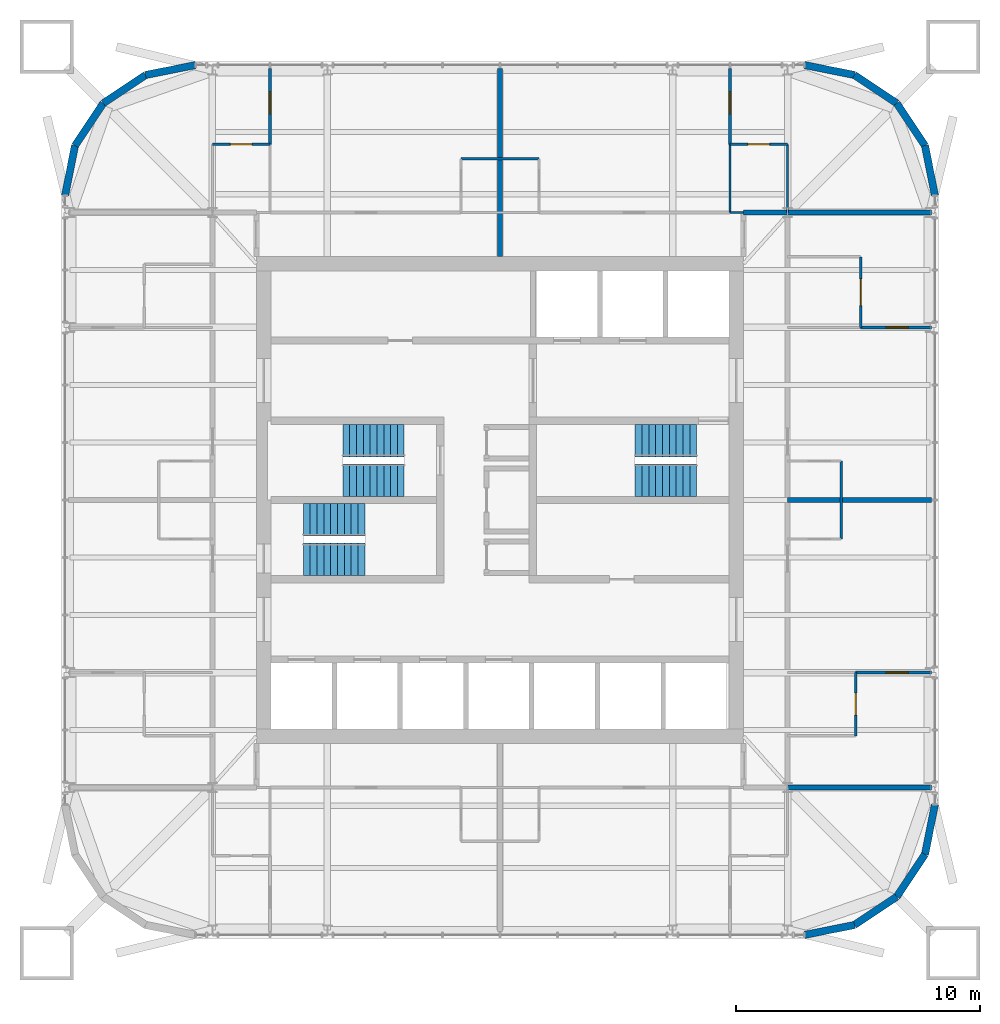
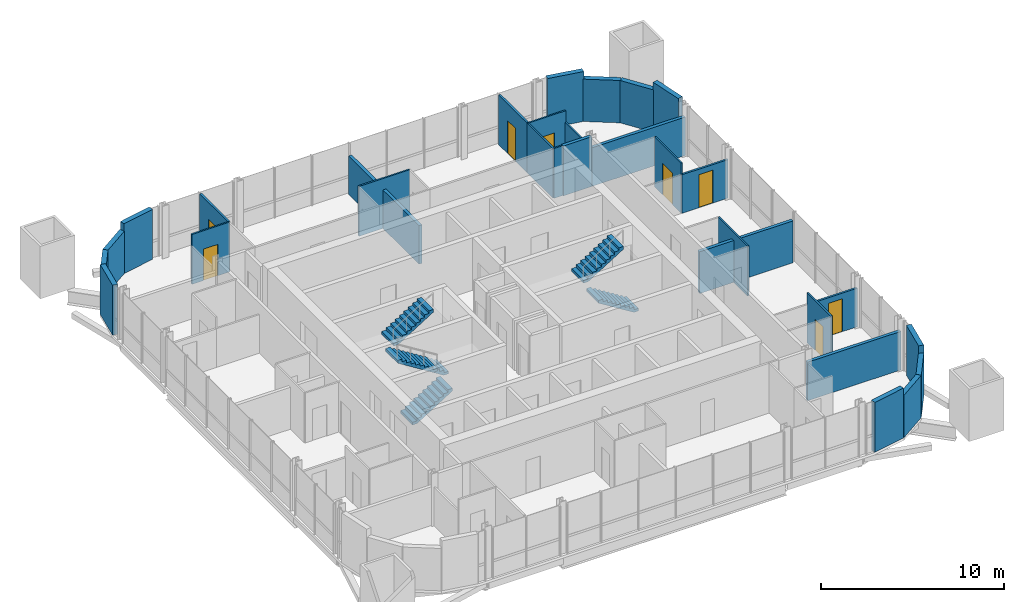
# One storey, part 15 of 16: 30 walls, 8 doors, 6 stair flights, 8 openings, 3 elements without a shape of their own.
"""IFC4 building model written with IfcOpenShell, lengths in metres."""

from ifc_helpers import new_model, si_unit, direction, frame, frame_2d, origin, place, context, subcontext, project, spatial, polyline, rectangle, outline, extrude, material, layer, layer_set, type_object, element, fill, aggregate, save


model = new_model("IFC4")

# Units and contexts
model_context = context("Model", 3, precision=1e-05, world=origin(), true_north=direction((0.0, 1.0)))
body_context = subcontext(model_context, "Body", "Model", "MODEL_VIEW")
ifc_project = project(units=[si_unit("LENGTHUNIT", "METRE"), si_unit("AREAUNIT", "SQUARE_METRE"), si_unit("VOLUMEUNIT", "CUBIC_METRE"), si_unit("PLANEANGLEUNIT", "RADIAN"), si_unit("MASSUNIT", "GRAM", prefix="KILO")], contexts=[model_context])

# Site, building, storey
site_placement = place(None, origin())
site = spatial("IfcSite", under=ifc_project, at=site_placement, CompositionType="ELEMENT")
building_placement = place(site_placement, origin())
building = spatial("IfcBuilding", under=site, at=building_placement, Name="Turquesa Mirador Hotel Tower", CompositionType="ELEMENT")
storey_placement = place(building_placement, frame((0.0, 0.0, 230.199951171875)))
storey = spatial("IfcBuildingStorey", under=building, at=storey_placement, Name="L62", CompositionType="ELEMENT", Elevation=230.199951171875)

# Walls
ifc_material_1 = material(Name="Gypsum board on steel studs", Category="steel")
ifc_layer_1 = layer(ifc_material_1, 0.10009765625)
ifc_layer_set_1 = layer_set([ifc_layer_1], Name="BATHROOM WALL 100")
wall_type_1 = type_object("IfcWallType", Name="BATHROOM WALL 100", PredefinedType="PARTITIONING", material=ifc_layer_set_1)
wall_1_placement = place(storey_placement, frame((64.43994140625, 56.800048828125, 0.0), z_axis=(0.0, 0.0, 1.0), x_axis=(1.0, 0.0, 0.0)))
element("IfcWall", 1, at=wall_1_placement, inside=storey, type_object=wall_type_1, Name="Partition L62 027", PredefinedType="PARTITIONING", context=body_context, shape_type="SweptSolid", body=[
    extrude(rectangle(XDim=0.56005859375, YDim=0.10009765625, at=frame_2d((0.280029296875, 0.0))), origin(), (0.0, 0.0, 1.0), 3.330078125),
])
wall_2_placement = place(storey_placement, frame((53.39990234375, 59.0, 0.0), z_axis=(0.0, 0.0, 1.0), x_axis=(1.0, 0.0, 0.0)))
element("IfcWall", 2, at=wall_2_placement, inside=storey, type_object=wall_type_1, Name="Partition L62 034", PredefinedType="PARTITIONING", context=body_context, shape_type="SweptSolid", body=[
    extrude(rectangle(XDim=3.2001953125, YDim=0.10009765625, at=frame_2d((1.60009765625, 0.0))), origin(), (0.0, 0.0, 1.0), 3.330078125),
])

# Wall, opening, door
wall_3_placement = place(storey_placement, frame((43.199951171875, 59.60009765625, 0.0), z_axis=(0.0, 0.0, 1.0), x_axis=(1.0, 0.0, 0.0)))
wall_3 = element("IfcWall", 3, at=wall_3_placement, inside=storey, type_object=wall_type_1, Name="Partition L62 035", PredefinedType="PARTITIONING", context=body_context, shape_type="SweptSolid", body=[
    extrude(rectangle(XDim=2.360107421875, YDim=0.10009765625, at=frame_2d((1.18017578125, 0.0))), origin(), (0.0, 0.0, 1.0), 3.330078125),
])
opening_1_placement = place(wall_3_placement, frame((0.72998046875, 0.0, 0.0)))
opening_1 = element("IfcOpeningElement", 4, at=opening_1_placement, cuts=wall_3, Name="Opening D02", PredefinedType="OPENING", context=body_context, shape_type="SweptSolid", body=[
    extrude(rectangle(XDim=0.89990234375, YDim=2.10009765625, at=frame_2d((0.449951171875, 1.050048828125))), frame((0.0, 0.06005859375, 0.0), z_axis=(0.0, -1.0, 0.0), x_axis=(1.0, 0.0, 0.0)), (0.0, 0.0, 1.0), 0.1201171875),
])
ifc_material_2 = material(Name="Timber veneered door", Category="wood")
door_type_1 = type_object("IfcDoorType", Name="DOOR 900X2100 EN-SUITE", OperationType="SINGLE_SWING_RIGHT", PredefinedType="DOOR", material=ifc_material_2)
door_1_placement = place(opening_1_placement, origin())
door_1 = element("IfcDoor", 5, at=door_1_placement, inside=storey, type_object=door_type_1, Name="Door 6201B", OperationType="SINGLE_SWING_RIGHT", OverallHeight=2.10009765625, OverallWidth=0.89990234375, PredefinedType="DOOR", context=body_context, shape_type="SweptSolid", body=[
    extrude(rectangle(XDim=0.89990234375, YDim=2.10009765625, at=frame_2d((0.449951171875, 1.050048828125))), frame((0.0, 0.02490234375, 0.0), z_axis=(0.0, -1.0, 0.0), x_axis=(1.0, 0.0, 0.0)), (0.0, 0.0, 1.0), 0.050048828125),
])
fill(opening_1, door_1)

wall_4_placement = place(storey_placement, frame((64.43994140625, 59.60009765625, 0.0), z_axis=(0.0, 0.0, 1.0), x_axis=(1.0, 0.0, 0.0)))
wall_4 = element("IfcWall", 6, at=wall_4_placement, inside=storey, type_object=wall_type_1, Name="Partition L62 036", PredefinedType="PARTITIONING", context=body_context, shape_type="SweptSolid", body=[
    extrude(rectangle(XDim=2.360107421875, YDim=0.10009765625, at=frame_2d((1.18017578125, 0.0))), origin(), (0.0, 0.0, 1.0), 3.330078125),
])
opening_2_placement = place(wall_4_placement, frame((0.72998046875, 0.0, 0.0)))
opening_2 = element("IfcOpeningElement", 7, at=opening_2_placement, cuts=wall_4, Name="Opening D02", PredefinedType="OPENING", context=body_context, shape_type="SweptSolid", body=[
    extrude(rectangle(XDim=0.89990234375, YDim=2.10009765625, at=frame_2d((0.449951171875, 1.050048828125))), frame((0.0, 0.06005859375, 0.0), z_axis=(0.0, -1.0, 0.0), x_axis=(1.0, 0.0, 0.0)), (0.0, 0.0, 1.0), 0.1201171875),
])
door_2_placement = place(opening_2_placement, origin())
door_2 = element("IfcDoor", 8, at=door_2_placement, inside=storey, type_object=door_type_1, Name="Door 6202B", OperationType="SINGLE_SWING_RIGHT", OverallHeight=2.10009765625, OverallWidth=0.89990234375, PredefinedType="DOOR", context=body_context, shape_type="SweptSolid", body=[
    extrude(rectangle(XDim=0.89990234375, YDim=2.10009765625, at=frame_2d((0.449951171875, 1.050048828125))), frame((0.0, 0.02490234375, 0.0), z_axis=(0.0, -1.0, 0.0), x_axis=(1.0, 0.0, 0.0)), (0.0, 0.0, 1.0), 0.050048828125),
])
fill(opening_2, door_2)

# Walls
wall_5_placement = place(storey_placement, frame((66.800048828125, 56.800048828125, 0.0), z_axis=(0.0, 0.0, 1.0), x_axis=(0.0, 1.0, 0.0)))
element("IfcWall", 9, at=wall_5_placement, inside=storey, type_object=wall_type_1, Name="Partition L62 064", PredefinedType="PARTITIONING", context=body_context, shape_type="SweptSolid", body=[
    extrude(rectangle(XDim=2.800048828125, YDim=0.10009765625, at=frame_2d((1.39990234375, 0.0))), origin(), (0.0, 0.0, 1.0), 2.5732421875),
])
wall_6_placement = place(storey_placement, frame((69.0, 43.39990234375, 0.0), z_axis=(0.0, 0.0, 1.0), x_axis=(0.0, 1.0, 0.0)))
element("IfcWall", 10, at=wall_6_placement, inside=storey, type_object=wall_type_1, Name="Partition L62 066", PredefinedType="PARTITIONING", context=body_context, shape_type="SweptSolid", body=[
    extrude(rectangle(XDim=3.2001953125, YDim=0.10009765625, at=frame_2d((1.60009765625, 0.0))), origin(), (0.0, 0.0, 1.0), 3.330078125),
])

# Wall, opening, door
wall_7_placement = place(storey_placement, frame((69.60009765625, 35.320068359375, 0.0), z_axis=(0.0, 0.0, 1.0), x_axis=(0.0, 1.0, 0.0)))
wall_7 = element("IfcWall", 11, at=wall_7_placement, inside=storey, type_object=wall_type_1, Name="Partition L62 067", PredefinedType="PARTITIONING", context=body_context, shape_type="SweptSolid", body=[
    extrude(rectangle(XDim=2.599853515625, YDim=0.10009765625, at=frame_2d((1.2998046875, 0.0))), origin(), (0.0, 0.0, 1.0), 3.330078125),
])
opening_3_placement = place(wall_7_placement, frame((0.85009765625, 0.0, 0.0)))
opening_3 = element("IfcOpeningElement", 12, at=opening_3_placement, cuts=wall_7, Name="Opening D02", PredefinedType="OPENING", context=body_context, shape_type="SweptSolid", body=[
    extrude(rectangle(XDim=0.89990234375, YDim=2.10009765625, at=frame_2d((0.449951171875, 1.050048828125))), frame((0.0, 0.06005859375, 0.0), z_axis=(0.0, -1.0, 0.0), x_axis=(1.0, 0.0, 0.0)), (0.0, 0.0, 1.0), 0.1201171875),
])
door_3_placement = place(opening_3_placement, origin())
door_3 = element("IfcDoor", 13, at=door_3_placement, inside=storey, type_object=door_type_1, Name="Door 6205B", OperationType="SINGLE_SWING_RIGHT", OverallHeight=2.10009765625, OverallWidth=0.89990234375, PredefinedType="DOOR", context=body_context, shape_type="SweptSolid", body=[
    extrude(rectangle(XDim=0.89990234375, YDim=2.10009765625, at=frame_2d((0.449951171875, 1.050048828125))), frame((0.0, 0.02490234375, 0.0), z_axis=(0.0, -1.0, 0.0), x_axis=(1.0, 0.0, 0.0)), (0.0, 0.0, 1.0), 0.050048828125),
])
fill(opening_3, door_3)

wall_8_placement = place(storey_placement, frame((69.800048828125, 52.080078125, 0.0), z_axis=(0.0, 0.0, 1.0), x_axis=(0.0, 1.0, 0.0)))
wall_8 = element("IfcWall", 14, at=wall_8_placement, inside=storey, type_object=wall_type_1, Name="Partition L62 068", PredefinedType="PARTITIONING", context=body_context, shape_type="SweptSolid", body=[
    extrude(rectangle(XDim=2.89990234375, YDim=0.10009765625, at=frame_2d((1.449951171875, 0.0))), origin(), (0.0, 0.0, 1.0), 3.330078125),
])
opening_4_placement = place(wall_8_placement, frame((0.89990234375, 0.0, 0.0)))
opening_4 = element("IfcOpeningElement", 15, at=opening_4_placement, cuts=wall_8, Name="Opening D16", PredefinedType="OPENING", context=body_context, shape_type="SweptSolid", body=[
    extrude(rectangle(XDim=1.10009765625, YDim=2.10009765625, at=frame_2d((0.550048828125, 1.050048828125))), frame((0.0, 0.06005859375, 0.0), z_axis=(0.0, -1.0, 0.0), x_axis=(1.0, 0.0, 0.0)), (0.0, 0.0, 1.0), 0.1201171875),
])
ifc_material_3 = material(Name="Timber veneered sliding door", Category="wood")
door_type_2 = type_object("IfcDoorType", Name="DOOR 1100X2100 ACCESSIBLE EN-SUITE", OperationType="SLIDING_TO_LEFT", PredefinedType="DOOR", material=ifc_material_3)
door_4_placement = place(opening_4_placement, origin())
door_4 = element("IfcDoor", 16, at=door_4_placement, inside=storey, type_object=door_type_2, Name="Door 6206B", OperationType="SLIDING_TO_LEFT", OverallHeight=2.10009765625, OverallWidth=1.10009765625, PredefinedType="DOOR", context=body_context, shape_type="SweptSolid", body=[
    extrude(rectangle(XDim=1.10009765625, YDim=2.10009765625, at=frame_2d((0.550048828125, 1.050048828125))), frame((0.0, 0.02490234375, 0.0), z_axis=(0.0, -1.0, 0.0), x_axis=(1.0, 0.0, 0.0)), (0.0, 0.0, 1.0), 0.050048828125),
])
fill(opening_4, door_4)

# Walls
wall_9_placement = place(storey_placement, frame((64.43994140625, 56.800048828125, 0.0), z_axis=(0.0, 0.0, 1.0), x_axis=(0.0, 1.0, 0.0)))
element("IfcWall", 17, at=wall_9_placement, inside=storey, type_object=wall_type_1, Name="Partition L62 070", PredefinedType="PARTITIONING", context=body_context, shape_type="SweptSolid", body=[
    extrude(rectangle(XDim=2.800048828125, YDim=0.10009765625, at=frame_2d((1.39990234375, 0.0))), origin(), (0.0, 0.0, 1.0), 3.330078125),
])
ifc_material_4 = material(Name="Fire-rated gypsum board on steel studs", Category="steel")
ifc_layer_2 = layer(ifc_material_4, 0.199951171875)
ifc_layer_set_2 = layer_set([ifc_layer_2], Name="CORRIDOR WALL 200")
wall_type_2 = type_object("IfcWallType", Name="CORRIDOR WALL 200", PredefinedType="PARTITIONING", material=ifc_layer_set_2)
wall_10_placement = place(storey_placement, frame((65.0, 56.800048828125, 0.0), z_axis=(0.0, 0.0, 1.0), x_axis=(1.0, 0.0, 0.0)))
element("IfcWall", 18, at=wall_10_placement, inside=storey, type_object=wall_type_2, Name="Partition L62 029", PredefinedType="PARTITIONING", context=body_context, shape_type="SweptSolid", body=[
    extrude(rectangle(XDim=1.800048828125, YDim=0.199951171875, at=frame_2d((0.89990234375, 0.0))), origin(), (0.0, 0.0, 1.0), 3.330078125),
])
ifc_material_5 = material(Name="Limestone cladding on concrete block", Category="masonry")
ifc_layer_3 = layer(ifc_material_5, 0.300048828125)
ifc_layer_set_3 = layer_set([ifc_layer_3], Name="FACADE WALL 300 STONE PIER")
wall_type_3 = type_object("IfcWallType", Name="FACADE WALL 300 STONE PIER", PredefinedType="SOLIDWALL", material=ifc_layer_set_3)
wall_11_placement = place(storey_placement, frame((67.5, 27.14990234375, 0.0), z_axis=(0.0, 0.0, 1.0), x_axis=(0.980787050784, 0.195081421501, 0.0)))
element("IfcWall", 19, at=wall_11_placement, inside=storey, type_object=wall_type_3, Name="Facade wall L62 bay CWS-L62-00 00", PredefinedType="SOLIDWALL", context=body_context, shape_type="SweptSolid", body=[
    extrude(rectangle(XDim=2.08740234375, YDim=0.300048828125, at=frame_2d((1.043701171875, 0.0))), origin(), (0.0, 0.0, 1.0), 3.330078125),
])
for number, where, z_axis, x_axis, name in (
    (20, (69.54736328125, 27.55712890625, 0.0), (0.0, 0.0, 1.0), (0.831420010345, 0.555644460423, 0.0), "Facade wall L62 bay CWS-L62-00 01"),
    (21, (71.282958984375, 28.717041015625, 0.0), (0.0, 0.0, 1.0), (0.555644460423, 0.831420010345, 0.0), "Facade wall L62 bay CWS-L62-00 02"),
):
    element("IfcWall", number, at=place(storey_placement, frame(where, z_axis=z_axis, x_axis=x_axis)), inside=storey, type_object=wall_type_3, Name=name, PredefinedType="SOLIDWALL", context=body_context, shape_type="SweptSolid", body=[
        extrude(rectangle(XDim=2.08740234375, YDim=0.300048828125, at=frame_2d((1.043701171875, 0.0))), origin(), (0.0, 0.0, 1.0), 2.830078125),
    ])
for number, where, z_axis, x_axis, name in (
    (22, (72.44287109375, 30.45263671875, 0.0), (0.0, 0.0, 1.0), (0.195081421501, 0.980787050784, 0.0), "Facade wall L62 bay CWS-L62-00 03"),
    (23, (72.85009765625, 57.5, 0.0), (0.0, 0.0, 1.0), (-0.195081421501, 0.980787050784, 0.0), "Facade wall L62 bay CWS-L62-02 00"),
):
    element("IfcWall", number, at=place(storey_placement, frame(where, z_axis=z_axis, x_axis=x_axis)), inside=storey, type_object=wall_type_3, Name=name, PredefinedType="SOLIDWALL", context=body_context, shape_type="SweptSolid", body=[
        extrude(rectangle(XDim=2.08740234375, YDim=0.300048828125, at=frame_2d((1.043701171875, 0.0))), origin(), (0.0, 0.0, 1.0), 3.330078125),
    ])
for number, where, z_axis, x_axis, name in (
    (24, (72.44287109375, 59.54736328125, 0.0), (0.0, 0.0, 1.0), (-0.555644460423, 0.831420010345, 0.0), "Facade wall L62 bay CWS-L62-02 01"),
    (25, (71.282958984375, 61.282958984375, 0.0), (0.0, 0.0, 1.0), (-0.831420010345, 0.555644460423, 0.0), "Facade wall L62 bay CWS-L62-02 02"),
):
    element("IfcWall", number, at=place(storey_placement, frame(where, z_axis=z_axis, x_axis=x_axis)), inside=storey, type_object=wall_type_3, Name=name, PredefinedType="SOLIDWALL", context=body_context, shape_type="SweptSolid", body=[
        extrude(rectangle(XDim=2.08740234375, YDim=0.300048828125, at=frame_2d((1.043701171875, 0.0))), origin(), (0.0, 0.0, 1.0), 2.830078125),
    ])
for number, where, z_axis, x_axis, name in (
    (26, (69.54736328125, 62.44287109375, 0.0), (0.0, 0.0, 1.0), (-0.980787050784, 0.195081421501, 0.0), "Facade wall L62 bay CWS-L62-02 03"),
    (27, (42.5, 62.85009765625, 0.0), (0.0, 0.0, 1.0), (-0.980787050784, -0.195081421501, 0.0), "Facade wall L62 bay CWS-L62-04 00"),
):
    element("IfcWall", number, at=place(storey_placement, frame(where, z_axis=z_axis, x_axis=x_axis)), inside=storey, type_object=wall_type_3, Name=name, PredefinedType="SOLIDWALL", context=body_context, shape_type="SweptSolid", body=[
        extrude(rectangle(XDim=2.08740234375, YDim=0.300048828125, at=frame_2d((1.043701171875, 0.0))), origin(), (0.0, 0.0, 1.0), 3.330078125),
    ])
for number, where, z_axis, x_axis, name in (
    (28, (40.45263671875, 62.44287109375, 0.0), (0.0, 0.0, 1.0), (-0.831420010345, -0.555644460423, 0.0), "Facade wall L62 bay CWS-L62-04 01"),
    (29, (38.717041015625, 61.282958984375, 0.0), (0.0, 0.0, 1.0), (-0.555644460423, -0.831420010345, 0.0), "Facade wall L62 bay CWS-L62-04 02"),
):
    element("IfcWall", number, at=place(storey_placement, frame(where, z_axis=z_axis, x_axis=x_axis)), inside=storey, type_object=wall_type_3, Name=name, PredefinedType="SOLIDWALL", context=body_context, shape_type="SweptSolid", body=[
        extrude(rectangle(XDim=2.08740234375, YDim=0.300048828125, at=frame_2d((1.043701171875, 0.0))), origin(), (0.0, 0.0, 1.0), 2.830078125),
    ])
wall_12_placement = place(storey_placement, frame((37.55712890625, 59.54736328125, 0.0), z_axis=(0.0, 0.0, 1.0), x_axis=(-0.195081421501, -0.980787050784, 0.0)))
element("IfcWall", 30, at=wall_12_placement, inside=storey, type_object=wall_type_3, Name="Facade wall L62 bay CWS-L62-04 03", PredefinedType="SOLIDWALL", context=body_context, shape_type="SweptSolid", body=[
    extrude(rectangle(XDim=2.08740234375, YDim=0.300048828125, at=frame_2d((1.043701171875, 0.0))), origin(), (0.0, 0.0, 1.0), 3.330078125),
])
ifc_material_6 = material(Name="Fire-rated gypsum board on steel studs", Category="steel")
ifc_layer_4 = layer(ifc_material_6, 0.199951171875)
ifc_layer_set_4 = layer_set([ifc_layer_4], Name="PARTY WALL 200")
wall_type_4 = type_object("IfcWallType", Name="PARTY WALL 200", PredefinedType="PARTITIONING", material=ifc_layer_set_4)
wall_13_placement = place(storey_placement, frame((66.800048828125, 33.199951171875, 0.0), z_axis=(0.0, 0.0, 1.0), x_axis=(1.0, 0.0, 0.0)))
element("IfcWall", 31, at=wall_13_placement, inside=storey, type_object=wall_type_4, Name="Partition L62 009", PredefinedType="PARTITIONING", context=body_context, shape_type="SweptSolid", body=[
    extrude(rectangle(XDim=5.89990234375, YDim=0.199951171875, at=frame_2d((2.949951171875, 0.0))), origin(), (0.0, 0.0, 1.0), 2.5732421875),
])
wall_14_placement = place(storey_placement, frame((66.800048828125, 45.0, 0.0), z_axis=(0.0, 0.0, 1.0), x_axis=(1.0, 0.0, 0.0)))
element("IfcWall", 32, at=wall_14_placement, inside=storey, type_object=wall_type_4, Name="Partition L62 022", PredefinedType="PARTITIONING", context=body_context, shape_type="SweptSolid", body=[
    extrude(rectangle(XDim=5.89990234375, YDim=0.199951171875, at=frame_2d((2.949951171875, 0.0))), origin(), (0.0, 0.0, 1.0), 2.796630859375),
])
wall_15_placement = place(storey_placement, frame((66.800048828125, 56.800048828125, 0.0), z_axis=(0.0, 0.0, 1.0), x_axis=(1.0, 0.0, 0.0)))
element("IfcWall", 33, at=wall_15_placement, inside=storey, type_object=wall_type_4, Name="Partition L62 031", PredefinedType="PARTITIONING", context=body_context, shape_type="SweptSolid", body=[
    extrude(rectangle(XDim=5.89990234375, YDim=0.199951171875, at=frame_2d((2.949951171875, 0.0))), origin(), (0.0, 0.0, 1.0), 2.5732421875),
])
wall_16_placement = place(storey_placement, frame((55.0, 55.0, 0.0), z_axis=(0.0, 0.0, 1.0), x_axis=(0.0, 1.0, 0.0)))
element("IfcWall", 34, at=wall_16_placement, inside=storey, type_object=wall_type_4, Name="Partition L62 058", PredefinedType="PARTITIONING", context=body_context, shape_type="SweptSolid", body=[
    extrude(rectangle(XDim=7.699951171875, YDim=0.199951171875, at=frame_2d((3.85009765625, 0.0))), origin(), (0.0, 0.0, 1.0), 2.5732421875),
])

# Wall, opening, door
ifc_material_7 = material(Name="Acoustic gypsum board on steel studs", Category="steel")
ifc_layer_5 = layer(ifc_material_7, 0.125)
ifc_layer_set_5 = layer_set([ifc_layer_5], Name="SUITE PARTITION 125")
wall_type_5 = type_object("IfcWallType", Name="SUITE PARTITION 125", PredefinedType="PARTITIONING", material=ifc_layer_set_5)
wall_17_placement = place(storey_placement, frame((69.60009765625, 37.919921875, 0.0), z_axis=(0.0, 0.0, 1.0), x_axis=(1.0, 0.0, 0.0)))
wall_17 = element("IfcWall", 35, at=wall_17_placement, inside=storey, type_object=wall_type_5, Name="Partition L62 018", PredefinedType="PARTITIONING", context=body_context, shape_type="SweptSolid", body=[
    extrude(rectangle(XDim=3.099853515625, YDim=0.125, at=frame_2d((1.5498046875, 0.0))), origin(), (0.0, 0.0, 1.0), 2.5732421875),
])
opening_5_placement = place(wall_17_placement, frame((1.25, 0.0, 0.0)))
opening_5 = element("IfcOpeningElement", 36, at=opening_5_placement, cuts=wall_17, Name="Opening D17", PredefinedType="OPENING", context=body_context, shape_type="SweptSolid", body=[
    extrude(rectangle(XDim=0.89990234375, YDim=2.199951171875, at=frame_2d((0.449951171875, 1.10009765625))), frame((0.0, 0.072509765625, 0.0), z_axis=(0.0, -1.0, 0.0), x_axis=(1.0, 0.0, 0.0)), (0.0, 0.0, 1.0), 0.14501953125),
])
ifc_material_8 = material(Name="Timber veneered door", Category="wood")
door_type_3 = type_object("IfcDoorType", Name="DOOR 900X2200 SUITE INTERNAL", OperationType="SINGLE_SWING_LEFT", PredefinedType="DOOR", material=ifc_material_8)
door_5_placement = place(opening_5_placement, origin())
door_5 = element("IfcDoor", 37, at=door_5_placement, inside=storey, type_object=door_type_3, Name="Door 6205R", OperationType="SINGLE_SWING_LEFT", OverallHeight=2.199951171875, OverallWidth=0.89990234375, PredefinedType="DOOR", context=body_context, shape_type="SweptSolid", body=[
    extrude(rectangle(XDim=0.89990234375, YDim=2.199951171875, at=frame_2d((0.449951171875, 1.10009765625))), frame((0.0, 0.02490234375, 0.0), z_axis=(0.0, -1.0, 0.0), x_axis=(1.0, 0.0, 0.0)), (0.0, 0.0, 1.0), 0.050048828125),
])
fill(opening_5, door_5)

wall_18_placement = place(storey_placement, frame((69.800048828125, 52.080078125, 0.0), z_axis=(0.0, 0.0, 1.0), x_axis=(1.0, 0.0, 0.0)))
wall_18 = element("IfcWall", 38, at=wall_18_placement, inside=storey, type_object=wall_type_5, Name="Partition L62 040", PredefinedType="PARTITIONING", context=body_context, shape_type="SweptSolid", body=[
    extrude(rectangle(XDim=2.89990234375, YDim=0.125, at=frame_2d((1.449951171875, 0.0))), origin(), (0.0, 0.0, 1.0), 2.5732421875),
])
opening_6_placement = place(wall_18_placement, frame((1.050048828125, 0.0, 0.0)))
opening_6 = element("IfcOpeningElement", 39, at=opening_6_placement, cuts=wall_18, Name="Opening D17", PredefinedType="OPENING", context=body_context, shape_type="SweptSolid", body=[
    extrude(rectangle(XDim=0.89990234375, YDim=2.199951171875, at=frame_2d((0.449951171875, 1.10009765625))), frame((0.0, 0.072509765625, 0.0), z_axis=(0.0, -1.0, 0.0), x_axis=(1.0, 0.0, 0.0)), (0.0, 0.0, 1.0), 0.14501953125),
])
door_6_placement = place(opening_6_placement, origin())
door_6 = element("IfcDoor", 40, at=door_6_placement, inside=storey, type_object=door_type_3, Name="Door 6206R", OperationType="SINGLE_SWING_LEFT", OverallHeight=2.199951171875, OverallWidth=0.89990234375, PredefinedType="DOOR", context=body_context, shape_type="SweptSolid", body=[
    extrude(rectangle(XDim=0.89990234375, YDim=2.199951171875, at=frame_2d((0.449951171875, 1.10009765625))), frame((0.0, 0.02490234375, 0.0), z_axis=(0.0, -1.0, 0.0), x_axis=(1.0, 0.0, 0.0)), (0.0, 0.0, 1.0), 0.050048828125),
])
fill(opening_6, door_6)

wall_19_placement = place(storey_placement, frame((45.56005859375, 59.60009765625, 0.0), z_axis=(0.0, 0.0, 1.0), x_axis=(0.0, 1.0, 0.0)))
wall_19 = element("IfcWall", 41, at=wall_19_placement, inside=storey, type_object=wall_type_5, Name="Partition L62 056", PredefinedType="PARTITIONING", context=body_context, shape_type="SweptSolid", body=[
    extrude(rectangle(XDim=3.099853515625, YDim=0.125, at=frame_2d((1.5498046875, 0.0))), origin(), (0.0, 0.0, 1.0), 3.330078125),
])
opening_7_placement = place(wall_19_placement, frame((1.25, 0.0, 0.0)))
opening_7 = element("IfcOpeningElement", 42, at=opening_7_placement, cuts=wall_19, Name="Opening D17", PredefinedType="OPENING", context=body_context, shape_type="SweptSolid", body=[
    extrude(rectangle(XDim=0.89990234375, YDim=2.199951171875, at=frame_2d((0.449951171875, 1.10009765625))), frame((0.0, 0.072509765625, 0.0), z_axis=(0.0, -1.0, 0.0), x_axis=(1.0, 0.0, 0.0)), (0.0, 0.0, 1.0), 0.14501953125),
])
door_7_placement = place(opening_7_placement, origin())
door_7 = element("IfcDoor", 43, at=door_7_placement, inside=storey, type_object=door_type_3, Name="Door 6201R", OperationType="SINGLE_SWING_LEFT", OverallHeight=2.199951171875, OverallWidth=0.89990234375, PredefinedType="DOOR", context=body_context, shape_type="SweptSolid", body=[
    extrude(rectangle(XDim=0.89990234375, YDim=2.199951171875, at=frame_2d((0.449951171875, 1.10009765625))), frame((0.0, 0.02490234375, 0.0), z_axis=(0.0, -1.0, 0.0), x_axis=(1.0, 0.0, 0.0)), (0.0, 0.0, 1.0), 0.050048828125),
])
fill(opening_7, door_7)

wall_20_placement = place(storey_placement, frame((64.43994140625, 59.60009765625, 0.0), z_axis=(0.0, 0.0, 1.0), x_axis=(0.0, 1.0, 0.0)))
wall_20 = element("IfcWall", 44, at=wall_20_placement, inside=storey, type_object=wall_type_5, Name="Partition L62 072", PredefinedType="PARTITIONING", context=body_context, shape_type="SweptSolid", body=[
    extrude(rectangle(XDim=3.099853515625, YDim=0.125, at=frame_2d((1.5498046875, 0.0))), origin(), (0.0, 0.0, 1.0), 3.330078125),
])
opening_8_placement = place(wall_20_placement, frame((1.25, 0.0, 0.0)))
opening_8 = element("IfcOpeningElement", 45, at=opening_8_placement, cuts=wall_20, Name="Opening D17", PredefinedType="OPENING", context=body_context, shape_type="SweptSolid", body=[
    extrude(rectangle(XDim=0.89990234375, YDim=2.199951171875, at=frame_2d((0.449951171875, 1.10009765625))), frame((0.0, 0.072509765625, 0.0), z_axis=(0.0, -1.0, 0.0), x_axis=(1.0, 0.0, 0.0)), (0.0, 0.0, 1.0), 0.14501953125),
])
door_8_placement = place(opening_8_placement, origin())
door_8 = element("IfcDoor", 46, at=door_8_placement, inside=storey, type_object=door_type_3, Name="Door 6202R", OperationType="SINGLE_SWING_LEFT", OverallHeight=2.199951171875, OverallWidth=0.89990234375, PredefinedType="DOOR", context=body_context, shape_type="SweptSolid", body=[
    extrude(rectangle(XDim=0.89990234375, YDim=2.199951171875, at=frame_2d((0.449951171875, 1.10009765625))), frame((0.0, 0.02490234375, 0.0), z_axis=(0.0, -1.0, 0.0), x_axis=(1.0, 0.0, 0.0)), (0.0, 0.0, 1.0), 0.050048828125),
])
fill(opening_8, door_8)

# Stair, stair flights
ifc_material_9 = material(Name="Concrete C35/45", Category="concrete")
stair_type = type_object("IfcStairType", Name="ESCAPE STAIR CORE", PredefinedType="HALF_TURN_STAIR", material=ifc_material_9)
stair_1_placement = place(storey_placement, origin())
stair_1 = element("IfcStair", 47, at=stair_1_placement, inside=storey, type_object=stair_type, Name="Stair ST1 L62 to L63", PredefinedType="HALF_TURN_STAIR")
ifc_material_10 = material(Name="Concrete C35/45 precast flight", Category="concrete")
stair_flight_type = type_object("IfcStairFlightType", Name="STAIR FLIGHT 1330", PredefinedType="STRAIGHT", material=ifc_material_10)
stair_flight_1_placement = place(storey_placement, frame((51.070068359375, 45.81494140625, 0.0), z_axis=(0.0, 0.0, 1.0), x_axis=(-1.0, 0.0, 0.0)))
stair_flight_1 = element("IfcStairFlight", 48, at=stair_flight_1_placement, type_object=stair_flight_type, Name="ST1 flight 1", NumberOfRisers=10, NumberOfTreads=9, PredefinedType="STRAIGHT", RiserHeight=0.175, TreadLength=0.28, context=body_context, shape_type="SweptSolid", body=[
    extrude(outline(polyline([(0.0, 0.0), (0.0, 0.175048828125), (0.280029296875, 0.175048828125), (0.280029296875, 0.35009765625), (0.56005859375, 0.35009765625), (0.56005859375, 0.52490234375), (0.840087890625, 0.52490234375), (0.840087890625, 0.699951171875), (1.1201171875, 0.699951171875), (1.1201171875, 0.875), (1.39990234375, 0.875), (1.39990234375, 1.050048828125), (1.679931640625, 1.050048828125), (1.679931640625, 1.22509765625), (1.9599609375, 1.22509765625), (1.9599609375, 1.39990234375), (2.239990234375, 1.39990234375), (2.239990234375, 1.574951171875), (2.52001953125, 1.574951171875), (2.52001953125, 1.75), (2.52001953125, 1.398193359375), (0.28271484375, 0.0), (0.0, 0.0)])), frame((0.0, 0.6650390625, 0.0), z_axis=(0.0, -1.0, 0.0), x_axis=(1.0, 0.0, 0.0)), (0.0, 0.0, 1.0), 1.330078125),
])
stair_flight_2_placement = place(storey_placement, frame((48.550048828125, 47.43505859375, 1.75), z_axis=(0.0, 0.0, 1.0), x_axis=(1.0, 0.0, 0.0)))
stair_flight_2 = element("IfcStairFlight", 49, at=stair_flight_2_placement, type_object=stair_flight_type, Name="ST1 flight 2", NumberOfRisers=10, NumberOfTreads=9, PredefinedType="STRAIGHT", RiserHeight=0.175, TreadLength=0.28, context=body_context, shape_type="SweptSolid", body=[
    extrude(outline(polyline([(0.0, 0.0), (0.0, 0.175048828125), (0.280029296875, 0.175048828125), (0.280029296875, 0.35009765625), (0.56005859375, 0.35009765625), (0.56005859375, 0.52490234375), (0.840087890625, 0.52490234375), (0.840087890625, 0.699951171875), (1.1201171875, 0.699951171875), (1.1201171875, 0.875), (1.39990234375, 0.875), (1.39990234375, 1.050048828125), (1.679931640625, 1.050048828125), (1.679931640625, 1.22509765625), (1.9599609375, 1.22509765625), (1.9599609375, 1.39990234375), (2.239990234375, 1.39990234375), (2.239990234375, 1.574951171875), (2.52001953125, 1.574951171875), (2.52001953125, 1.75), (2.52001953125, 1.398193359375), (0.28271484375, 0.0), (0.0, 0.0)])), frame((0.0, 0.6650390625, 0.0), z_axis=(0.0, -1.0, 0.0), x_axis=(1.0, 0.0, 0.0)), (0.0, 0.0, 1.0), 1.330078125),
])
aggregate(stair_1, [stair_flight_1, stair_flight_2])

stair_2_placement = place(storey_placement, origin())
stair_2 = element("IfcStair", 50, at=stair_2_placement, inside=storey, type_object=stair_type, Name="Stair ST2 L62 to L63", PredefinedType="HALF_TURN_STAIR")
stair_flight_3_placement = place(storey_placement, frame((46.929931640625, 42.56494140625, 0.0), z_axis=(0.0, 0.0, 1.0), x_axis=(1.0, 0.0, 0.0)))
stair_flight_3 = element("IfcStairFlight", 51, at=stair_flight_3_placement, type_object=stair_flight_type, Name="ST2 flight 1", NumberOfRisers=10, NumberOfTreads=9, PredefinedType="STRAIGHT", RiserHeight=0.175, TreadLength=0.28, context=body_context, shape_type="SweptSolid", body=[
    extrude(outline(polyline([(0.0, 0.0), (0.0, 0.175048828125), (0.280029296875, 0.175048828125), (0.280029296875, 0.35009765625), (0.56005859375, 0.35009765625), (0.56005859375, 0.52490234375), (0.840087890625, 0.52490234375), (0.840087890625, 0.699951171875), (1.1201171875, 0.699951171875), (1.1201171875, 0.875), (1.39990234375, 0.875), (1.39990234375, 1.050048828125), (1.679931640625, 1.050048828125), (1.679931640625, 1.22509765625), (1.9599609375, 1.22509765625), (1.9599609375, 1.39990234375), (2.239990234375, 1.39990234375), (2.239990234375, 1.574951171875), (2.52001953125, 1.574951171875), (2.52001953125, 1.75), (2.52001953125, 1.398193359375), (0.28271484375, 0.0), (0.0, 0.0)])), frame((0.0, 0.6650390625, 0.0), z_axis=(0.0, -1.0, 0.0), x_axis=(1.0, 0.0, 0.0)), (0.0, 0.0, 1.0), 1.330078125),
])
stair_flight_4_placement = place(storey_placement, frame((49.449951171875, 44.18505859375, 1.75), z_axis=(0.0, 0.0, 1.0), x_axis=(-1.0, 0.0, 0.0)))
stair_flight_4 = element("IfcStairFlight", 52, at=stair_flight_4_placement, type_object=stair_flight_type, Name="ST2 flight 2", NumberOfRisers=10, NumberOfTreads=9, PredefinedType="STRAIGHT", RiserHeight=0.175, TreadLength=0.28, context=body_context, shape_type="SweptSolid", body=[
    extrude(outline(polyline([(0.0, 0.0), (0.0, 0.175048828125), (0.280029296875, 0.175048828125), (0.280029296875, 0.35009765625), (0.56005859375, 0.35009765625), (0.56005859375, 0.52490234375), (0.840087890625, 0.52490234375), (0.840087890625, 0.699951171875), (1.1201171875, 0.699951171875), (1.1201171875, 0.875), (1.39990234375, 0.875), (1.39990234375, 1.050048828125), (1.679931640625, 1.050048828125), (1.679931640625, 1.22509765625), (1.9599609375, 1.22509765625), (1.9599609375, 1.39990234375), (2.239990234375, 1.39990234375), (2.239990234375, 1.574951171875), (2.52001953125, 1.574951171875), (2.52001953125, 1.75), (2.52001953125, 1.398193359375), (0.28271484375, 0.0), (0.0, 0.0)])), frame((0.0, 0.6650390625, 0.0), z_axis=(0.0, -1.0, 0.0), x_axis=(1.0, 0.0, 0.0)), (0.0, 0.0, 1.0), 1.330078125),
])
aggregate(stair_2, [stair_flight_3, stair_flight_4])

stair_3_placement = place(storey_placement, origin())
stair_3 = element("IfcStair", 53, at=stair_3_placement, inside=storey, type_object=stair_type, Name="Stair ST3 L62 to L63", PredefinedType="HALF_TURN_STAIR")
stair_flight_5_placement = place(storey_placement, frame((63.070068359375, 45.81494140625, 0.0), z_axis=(0.0, 0.0, 1.0), x_axis=(-1.0, 0.0, 0.0)))
stair_flight_5 = element("IfcStairFlight", 54, at=stair_flight_5_placement, type_object=stair_flight_type, Name="ST3 flight 1", NumberOfRisers=10, NumberOfTreads=9, PredefinedType="STRAIGHT", RiserHeight=0.175, TreadLength=0.28, context=body_context, shape_type="SweptSolid", body=[
    extrude(outline(polyline([(0.0, 0.0), (0.0, 0.175048828125), (0.280029296875, 0.175048828125), (0.280029296875, 0.35009765625), (0.56005859375, 0.35009765625), (0.56005859375, 0.52490234375), (0.840087890625, 0.52490234375), (0.840087890625, 0.699951171875), (1.1201171875, 0.699951171875), (1.1201171875, 0.875), (1.39990234375, 0.875), (1.39990234375, 1.050048828125), (1.679931640625, 1.050048828125), (1.679931640625, 1.22509765625), (1.9599609375, 1.22509765625), (1.9599609375, 1.39990234375), (2.239990234375, 1.39990234375), (2.239990234375, 1.574951171875), (2.52001953125, 1.574951171875), (2.52001953125, 1.75), (2.52001953125, 1.398193359375), (0.28271484375, 0.0), (0.0, 0.0)])), frame((0.0, 0.6650390625, 0.0), z_axis=(0.0, -1.0, 0.0), x_axis=(1.0, 0.0, 0.0)), (0.0, 0.0, 1.0), 1.330078125),
])
stair_flight_6_placement = place(storey_placement, frame((60.550048828125, 47.43505859375, 1.75), z_axis=(0.0, 0.0, 1.0), x_axis=(1.0, 0.0, 0.0)))
stair_flight_6 = element("IfcStairFlight", 55, at=stair_flight_6_placement, type_object=stair_flight_type, Name="ST3 flight 2", NumberOfRisers=10, NumberOfTreads=9, PredefinedType="STRAIGHT", RiserHeight=0.175, TreadLength=0.28, context=body_context, shape_type="SweptSolid", body=[
    extrude(outline(polyline([(0.0, 0.0), (0.0, 0.175048828125), (0.280029296875, 0.175048828125), (0.280029296875, 0.35009765625), (0.56005859375, 0.35009765625), (0.56005859375, 0.52490234375), (0.840087890625, 0.52490234375), (0.840087890625, 0.699951171875), (1.1201171875, 0.699951171875), (1.1201171875, 0.875), (1.39990234375, 0.875), (1.39990234375, 1.050048828125), (1.679931640625, 1.050048828125), (1.679931640625, 1.22509765625), (1.9599609375, 1.22509765625), (1.9599609375, 1.39990234375), (2.239990234375, 1.39990234375), (2.239990234375, 1.574951171875), (2.52001953125, 1.574951171875), (2.52001953125, 1.75), (2.52001953125, 1.398193359375), (0.28271484375, 0.0), (0.0, 0.0)])), frame((0.0, 0.6650390625, 0.0), z_axis=(0.0, -1.0, 0.0), x_axis=(1.0, 0.0, 0.0)), (0.0, 0.0, 1.0), 1.330078125),
])
aggregate(stair_3, [stair_flight_5, stair_flight_6])

save(model, "model.ifc")
